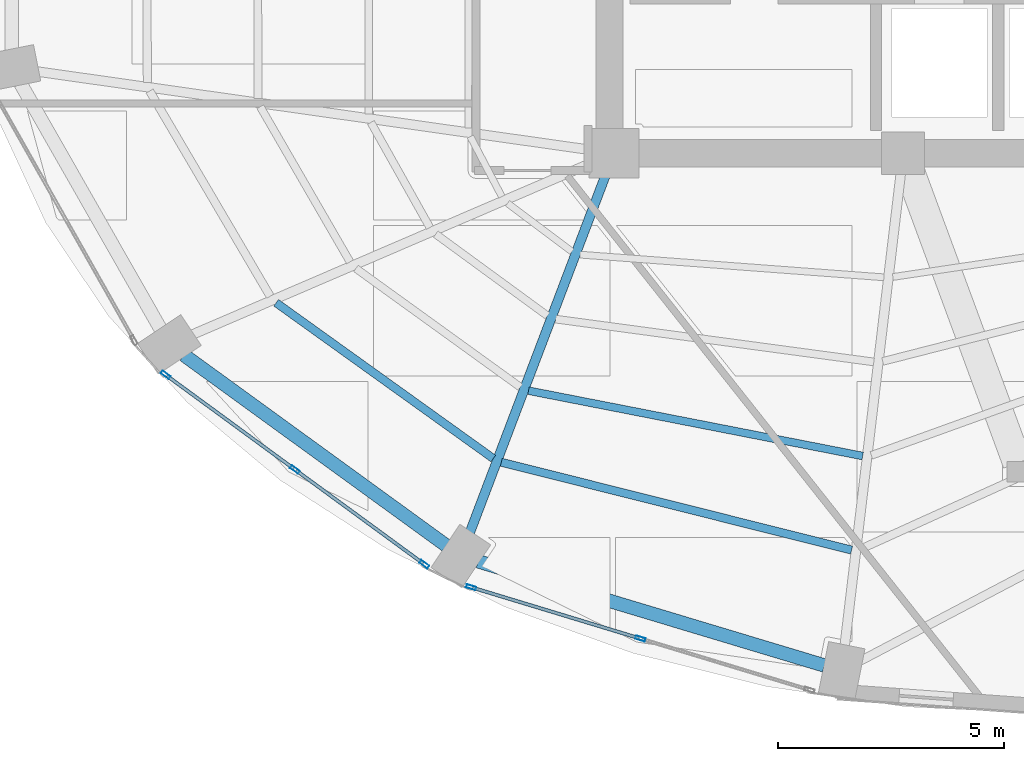
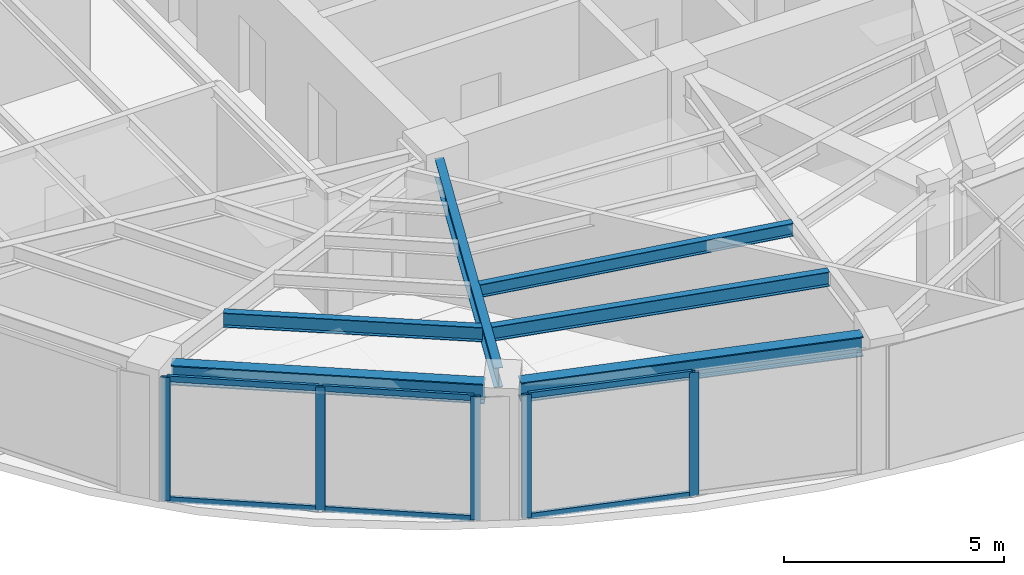
# One storey, part 2 of 20: 11 members, 6 beams, 2 elements without a shape of their own.
"""IFC4 building model written with IfcOpenShell, lengths in metres."""

from ifc_helpers import new_model, si_unit, direction, frame, origin, origin_2d, place, context, subcontext, project, spatial, hollow_rectangle, i_section, extrude, material, layer, layer_set, material_profile, profile_set, type_object, element, aggregate, save


model = new_model("IFC4")

# Units and contexts
model_context = context("Model", 3, precision=1e-05, world=origin(), true_north=direction((0.0, 1.0)))
body_context = subcontext(model_context, "Body", "Model", "MODEL_VIEW")
ifc_project = project(units=[si_unit("LENGTHUNIT", "METRE"), si_unit("AREAUNIT", "SQUARE_METRE"), si_unit("VOLUMEUNIT", "CUBIC_METRE"), si_unit("PLANEANGLEUNIT", "RADIAN"), si_unit("MASSUNIT", "GRAM", prefix="KILO")], contexts=[model_context])

# Site, building, storey
site_placement = place(None, origin())
site = spatial("IfcSite", under=ifc_project, at=site_placement, CompositionType="ELEMENT")
building_placement = place(site_placement, origin())
building = spatial("IfcBuilding", under=site, at=building_placement, Name="Lazwardi Medical Tower", CompositionType="ELEMENT")
storey_placement = place(building_placement, frame((0.0, 0.0, 152.8798828125)))
storey = spatial("IfcBuildingStorey", under=building, at=storey_placement, Name="L39", CompositionType="ELEMENT", Elevation=152.8798828125)

# Beams
ifc_material_1 = material(Name="Steel S355", Category="steel")
ifc_material_profile_1 = material_profile(ifc_material_1, i_section(OverallWidth=0.300048828125, OverallDepth=0.550048828125, WebThickness=0.014892578125, FlangeThickness=0.029052734375, at=origin_2d()), Name="HEB 550")
ifc_profile_set_1 = profile_set([ifc_material_profile_1], Name="Steel S355")
beam_type_1 = type_object("IfcBeamType", Name="BM-RB-Z3", PredefinedType="BEAM", material=ifc_profile_set_1)
beam_1_placement = place(storey_placement, frame((16.88818359375, 15.93408203125, 3.153076171875), z_axis=(0.809127570774, -0.587633026824, 0.0), x_axis=(0.587633026824, 0.809127570774, 0.0)))
element("IfcBeam", 1, at=beam_1_placement, inside=storey, type_object=beam_type_1, Name="Ring beam RB-04 B14 L39", PredefinedType="BEAM", context=body_context, shape_type="SweptSolid", body=[
    extrude(i_section(OverallWidth=0.300048828125, OverallDepth=0.550048828125, WebThickness=0.014892578125, FlangeThickness=0.029052734375, at=origin_2d()), origin(), (0.0, 0.0, 1.0), 7.170166015625),
])
beam_2_placement = place(storey_placement, frame((23.396484375, 11.37060546875, 3.153076171875), z_axis=(0.957616873483, -0.288045002771, 0.0), x_axis=(0.288045002771, 0.957616873483, 0.0)))
element("IfcBeam", 2, at=beam_2_placement, inside=storey, type_object=beam_type_1, Name="Ring beam RB-04 B15 L39", PredefinedType="BEAM", context=body_context, shape_type="SweptSolid", body=[
    extrude(i_section(OverallWidth=0.300048828125, OverallDepth=0.550048828125, WebThickness=0.014892578125, FlangeThickness=0.029052734375, at=origin_2d()), origin(), (0.0, 0.0, 1.0), 7.99951171875),
])
ifc_material_profile_2 = material_profile(ifc_material_1, i_section(OverallWidth=0.2099609375, OverallDepth=0.550048828125, WebThickness=0.010986328125, FlangeThickness=0.01708984375, at=origin_2d()), Name="IPE 550")
ifc_profile_set_2 = profile_set([ifc_material_profile_2], Name="Steel S355")
beam_type_2 = type_object("IfcBeamType", Name="BM-RG-W2", PredefinedType="BEAM", material=ifc_profile_set_2)
beam_3_placement = place(storey_placement, frame((23.21240234375, 12.00927734375, 3.153076171875), z_axis=(0.355126771712, 0.934818151307, 0.0), x_axis=(-0.934818151307, 0.355126771712, 0.0)))
element("IfcBeam", 3, at=beam_3_placement, inside=storey, type_object=beam_type_2, Name="Radial girder RG-03 R15 L39", PredefinedType="BEAM", context=body_context, shape_type="SweptSolid", body=[
    extrude(i_section(OverallWidth=0.2099609375, OverallDepth=0.550048828125, WebThickness=0.010986328125, FlangeThickness=0.01708984375, at=origin_2d()), origin(), (0.0, 0.0, 1.0), 8.44091796875),
])
ifc_material_profile_3 = material_profile(ifc_material_1, i_section(OverallWidth=0.179931640625, OverallDepth=0.39990234375, WebThickness=0.008544921875, FlangeThickness=0.013427734375, at=origin_2d()), Name="IPE 400")
ifc_profile_set_3 = profile_set([ifc_material_profile_3], Name="Steel S355")
beam_type_3 = type_object("IfcBeamType", Name="BM-SJ-01", PredefinedType="JOIST", material=ifc_profile_set_3)
beam_4_placement = place(storey_placement, frame((18.926025390625, 17.091796875, 3.22802734375), z_axis=(0.812602017757, -0.582818977675, 0.0), x_axis=(0.582818977675, 0.812602017757, 0.0)))
element("IfcBeam", 4, at=beam_4_placement, inside=storey, type_object=beam_type_3, Name="Secondary joist SJ-01 R1 B14 L39", PredefinedType="JOIST", context=body_context, shape_type="SweptSolid", body=[
    extrude(i_section(OverallWidth=0.179931640625, OverallDepth=0.39990234375, WebThickness=0.008544921875, FlangeThickness=0.013427734375, at=origin_2d()), origin(), (0.0, 0.0, 1.0), 5.91259765625),
])
beam_5_placement = place(storey_placement, frame((23.908935546875, 13.56298828125, 3.22802734375), z_axis=(0.969933596942, -0.243369713652, 0.0), x_axis=(0.243369713652, 0.969933596942, 0.0)))
element("IfcBeam", 5, at=beam_5_placement, inside=storey, type_object=beam_type_3, Name="Secondary joist SJ-01 R1 B15 L39", PredefinedType="JOIST", context=body_context, shape_type="SweptSolid", body=[
    extrude(i_section(OverallWidth=0.179931640625, OverallDepth=0.39990234375, WebThickness=0.008544921875, FlangeThickness=0.013427734375, at=origin_2d()), origin(), (0.0, 0.0, 1.0), 7.98828125),
])
ifc_material_profile_4 = material_profile(ifc_material_1, i_section(OverallWidth=0.169921875, OverallDepth=0.360107421875, WebThickness=0.008056640625, FlangeThickness=0.0126953125, at=origin_2d()), Name="IPE 360")
ifc_profile_set_4 = profile_set([ifc_material_profile_4], Name="Steel S355")
beam_type_4 = type_object("IfcBeamType", Name="BM-SJ-02", PredefinedType="JOIST", material=ifc_profile_set_4)
beam_6_placement = place(storey_placement, frame((24.509521484375, 15.146484375, 3.248046875), z_axis=(0.98141534692, -0.191895588353, 0.0), x_axis=(0.191895588353, 0.98141534692, 0.0)))
element("IfcBeam", 6, at=beam_6_placement, inside=storey, type_object=beam_type_4, Name="Secondary joist SJ-02 R2 B15 L39", PredefinedType="JOIST", context=body_context, shape_type="SweptSolid", body=[
    extrude(i_section(OverallWidth=0.169921875, OverallDepth=0.360107421875, WebThickness=0.008056640625, FlangeThickness=0.0126953125, at=origin_2d()), origin(), (0.0, 0.0, 1.0), 7.534423828125),
])

# Curtain wall, members
ifc_material_2 = material(Name="Anodised bronze aluminium and solar control glazing", Category="aluminium")
ifc_layer = layer(ifc_material_2, 0.195068359375)
ifc_layer_set = layer_set([ifc_layer], Name="Anodised bronze aluminium and solar control glazing")
curtain_wall_type = type_object("IfcCurtainWallType", Name="CW-SYS-03", PredefinedType="NOTDEFINED", material=ifc_layer_set)
curtain_wall_1_placement = place(storey_placement, origin())
curtain_wall_1 = element("IfcCurtainWall", 7, at=curtain_wall_1_placement, inside=storey, type_object=curtain_wall_type, Name="L39 Unitised bronze curtain wall CW-03", PredefinedType="NOTDEFINED")
ifc_material_3 = material(Name="Anodised bronze aluminium", Category="aluminium")
ifc_material_profile_5 = material_profile(ifc_material_3, hollow_rectangle(XDim=0.074951171875, YDim=0.219970703125, WallThickness=0.00390625, at=origin_2d()), Name="ALU-MULLION 220x75x4")
ifc_profile_set_5 = profile_set([ifc_material_profile_5], Name="Anodised bronze aluminium")
member_type_1 = type_object("IfcMemberType", Name="CW-MUL-01", PredefinedType="MULLION", material=ifc_profile_set_5)
member_1_placement = place(storey_placement, frame((16.480224609375, 15.4970703125, 0.0), z_axis=(0.0, 0.0, 1.0), x_axis=(0.590833862635, 0.806793249082, 0.0)))
member_1 = element("IfcMember", 8, at=member_1_placement, type_object=member_type_1, Name="CW-03 mullion 1", PredefinedType="MULLION", context=body_context, shape_type="SweptSolid", body=[
    extrude(hollow_rectangle(XDim=0.074951171875, YDim=0.219970703125, WallThickness=0.00390625, at=origin_2d()), origin(), (0.0, 0.0, 1.0), 3.42822265625),
])
member_2_placement = place(storey_placement, frame((19.34228515625, 13.401123046875, 0.0), z_axis=(0.0, 0.0, 1.0), x_axis=(0.590833862635, 0.806793249082, 0.0)))
member_2 = element("IfcMember", 9, at=member_2_placement, type_object=member_type_1, Name="CW-03 mullion 2", PredefinedType="MULLION", context=body_context, shape_type="SweptSolid", body=[
    extrude(hollow_rectangle(XDim=0.074951171875, YDim=0.219970703125, WallThickness=0.00390625, at=origin_2d()), origin(), (0.0, 0.0, 1.0), 3.42822265625),
])
member_3_placement = place(storey_placement, frame((22.204345703125, 11.30517578125, 0.0), z_axis=(0.0, 0.0, 1.0), x_axis=(0.590833862635, 0.806793249082, 0.0)))
member_3 = element("IfcMember", 10, at=member_3_placement, type_object=member_type_1, Name="CW-03 mullion 3", PredefinedType="MULLION", context=body_context, shape_type="SweptSolid", body=[
    extrude(hollow_rectangle(XDim=0.074951171875, YDim=0.219970703125, WallThickness=0.00390625, at=origin_2d()), origin(), (0.0, 0.0, 1.0), 3.42822265625),
])

curtain_wall_2_placement = place(storey_placement, origin())
curtain_wall_2 = element("IfcCurtainWall", 11, at=curtain_wall_2_placement, inside=storey, type_object=curtain_wall_type, Name="L39 Unitised bronze curtain wall CW-03", PredefinedType="NOTDEFINED")
member_4_placement = place(storey_placement, frame((23.241943359375, 10.796630859375, 0.0), z_axis=(0.0, 0.0, 1.0), x_axis=(0.290280785441, 0.956941516292, 0.0)))
member_4 = element("IfcMember", 12, at=member_4_placement, type_object=member_type_1, Name="CW-03 mullion 1", PredefinedType="MULLION", context=body_context, shape_type="SweptSolid", body=[
    extrude(hollow_rectangle(XDim=0.074951171875, YDim=0.219970703125, WallThickness=0.00390625, at=origin_2d()), origin(), (0.0, 0.0, 1.0), 3.42822265625),
])
member_5_placement = place(storey_placement, frame((26.98486328125, 9.661376953125, 0.0), z_axis=(0.0, 0.0, 1.0), x_axis=(0.290280785441, 0.956941516292, 0.0)))
member_5 = element("IfcMember", 13, at=member_5_placement, type_object=member_type_1, Name="CW-03 mullion 2", PredefinedType="MULLION", context=body_context, shape_type="SweptSolid", body=[
    extrude(hollow_rectangle(XDim=0.074951171875, YDim=0.219970703125, WallThickness=0.00390625, at=origin_2d()), origin(), (0.0, 0.0, 1.0), 3.42822265625),
])

# Member
ifc_material_profile_6 = material_profile(ifc_material_3, hollow_rectangle(XDim=0.074951171875, YDim=0.159912109375, WallThickness=0.00390625, at=origin_2d()), Name="ALU-TRANSOM 160x75x4")
ifc_profile_set_6 = profile_set([ifc_material_profile_6], Name="Anodised bronze aluminium")
member_type_2 = type_object("IfcMemberType", Name="CW-TRN-01", PredefinedType="USERDEFINED", material=ifc_profile_set_6)
member_6_placement = place(storey_placement, frame((16.510498046875, 15.474853515625, 0.03759765625), z_axis=(0.806807161185, -0.590814864962, 0.0), x_axis=(0.590814864962, 0.806807161185, 0.0)))
member_6 = element("IfcMember", 14, at=member_6_placement, type_object=member_type_2, Name="CW-03 transom 1.1", ObjectType="TRANSOM", PredefinedType="USERDEFINED", context=body_context, shape_type="SweptSolid", body=[
    extrude(hollow_rectangle(XDim=0.074951171875, YDim=0.159912109375, WallThickness=0.00390625, at=origin_2d()), origin(), (0.0, 0.0, 1.0), 3.472412109375),
])

member_7_placement = place(storey_placement, frame((16.510498046875, 15.474853515625, 3.390625), z_axis=(0.806807161185, -0.590814864962, 0.0), x_axis=(0.590814864962, 0.806807161185, 0.0)))
member_7 = element("IfcMember", 15, at=member_7_placement, type_object=member_type_2, Name="CW-03 transom 1.2", ObjectType="TRANSOM", PredefinedType="USERDEFINED", context=body_context, shape_type="SweptSolid", body=[
    extrude(hollow_rectangle(XDim=0.074951171875, YDim=0.159912109375, WallThickness=0.00390625, at=origin_2d()), origin(), (0.0, 0.0, 1.0), 3.472412109375),
])

member_8_placement = place(storey_placement, frame((19.37255859375, 13.37890625, 0.03759765625), z_axis=(0.806807161185, -0.590814864962, 0.0), x_axis=(0.590814864962, 0.806807161185, 0.0)))
member_8 = element("IfcMember", 16, at=member_8_placement, type_object=member_type_2, Name="CW-03 transom 2.1", ObjectType="TRANSOM", PredefinedType="USERDEFINED", context=body_context, shape_type="SweptSolid", body=[
    extrude(hollow_rectangle(XDim=0.074951171875, YDim=0.159912109375, WallThickness=0.00390625, at=origin_2d()), origin(), (0.0, 0.0, 1.0), 3.472412109375),
])

member_9_placement = place(storey_placement, frame((19.37255859375, 13.37890625, 3.390625), z_axis=(0.806807161185, -0.590814864962, 0.0), x_axis=(0.590814864962, 0.806807161185, 0.0)))
member_9 = element("IfcMember", 17, at=member_9_placement, type_object=member_type_2, Name="CW-03 transom 2.2", ObjectType="TRANSOM", PredefinedType="USERDEFINED", context=body_context, shape_type="SweptSolid", body=[
    extrude(hollow_rectangle(XDim=0.074951171875, YDim=0.159912109375, WallThickness=0.00390625, at=origin_2d()), origin(), (0.0, 0.0, 1.0), 3.472412109375),
])

aggregate(curtain_wall_1, [member_1, member_2, member_3, member_6, member_7, member_8, member_9])

member_10_placement = place(storey_placement, frame((23.27783203125, 10.785888671875, 0.03759765625), z_axis=(0.956930154175, -0.290318239233, 0.0), x_axis=(0.290318239233, 0.956930154175, 0.0)))
member_10 = element("IfcMember", 18, at=member_10_placement, type_object=member_type_2, Name="CW-03 transom 1.1", ObjectType="TRANSOM", PredefinedType="USERDEFINED", context=body_context, shape_type="SweptSolid", body=[
    extrude(hollow_rectangle(XDim=0.074951171875, YDim=0.159912109375, WallThickness=0.00390625, at=origin_2d()), origin(), (0.0, 0.0, 1.0), 3.83642578125),
])

member_11_placement = place(storey_placement, frame((23.27783203125, 10.785888671875, 3.390625), z_axis=(0.956930154175, -0.290318239233, 0.0), x_axis=(0.290318239233, 0.956930154175, 0.0)))
member_11 = element("IfcMember", 19, at=member_11_placement, type_object=member_type_2, Name="CW-03 transom 1.2", ObjectType="TRANSOM", PredefinedType="USERDEFINED", context=body_context, shape_type="SweptSolid", body=[
    extrude(hollow_rectangle(XDim=0.074951171875, YDim=0.159912109375, WallThickness=0.00390625, at=origin_2d()), origin(), (0.0, 0.0, 1.0), 3.83642578125),
])

aggregate(curtain_wall_2, [member_4, member_5, member_10, member_11])

save(model, "model.ifc")
